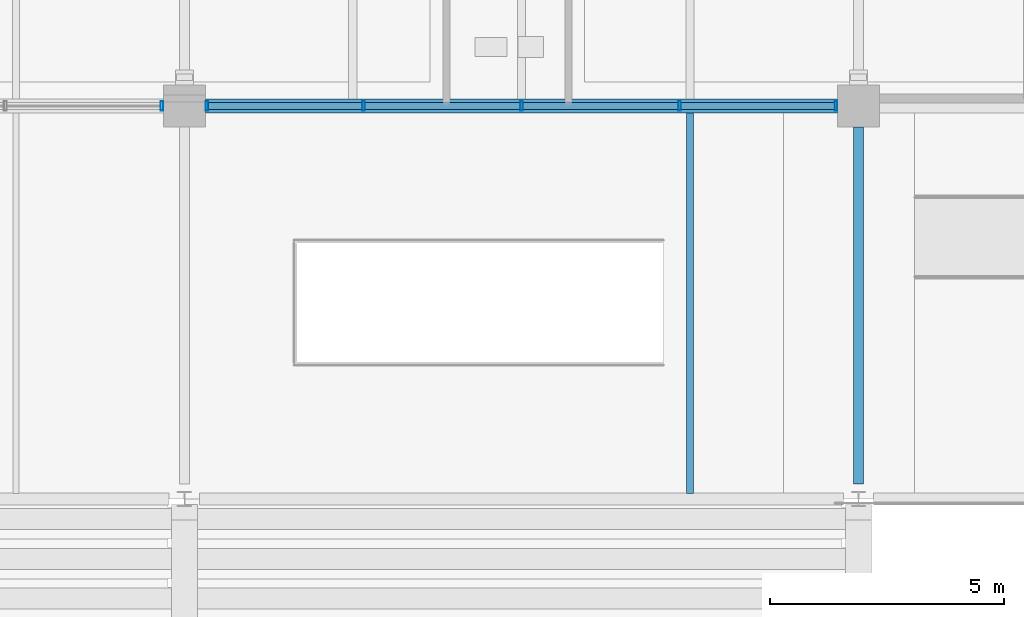
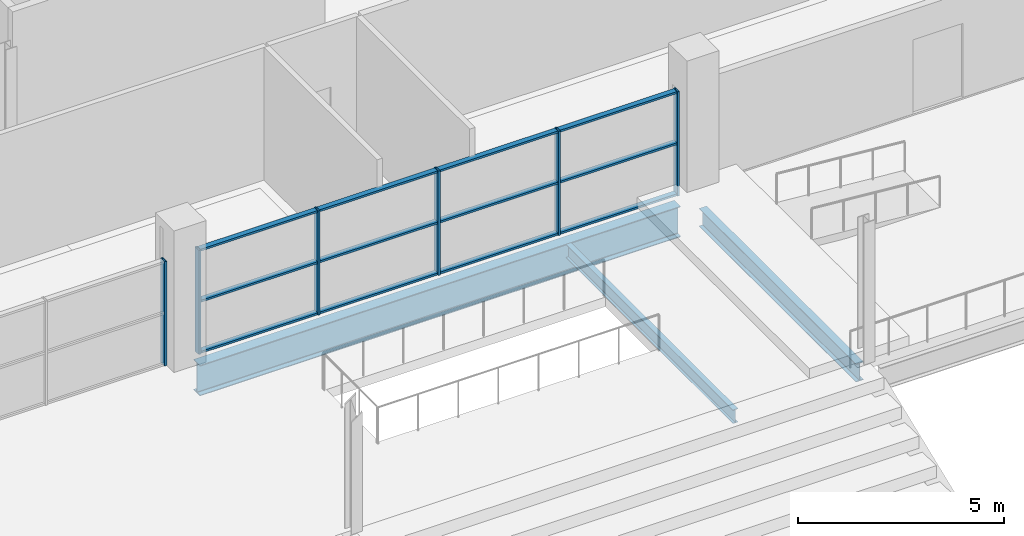
# One storey, part 71 of 161: 18 members, 3 beams, 2 elements without a shape of their own.
"""IFC4 building model written with IfcOpenShell, lengths in metres."""

import ifcopenshell
import ifcopenshell.guid

model = None  # the IFC model being written
_history = None  # IfcOwnerHistory: only IFC2X3 demands one
_inside = {}  # id of a spatial element -> (the spatial element, [elements in it])
_under = {}  # id of a project, library or spatial element -> (it, [spatial elements below it])
_declared = {}  # id of a project -> (the project, [libraries it declares])
_typed = {}  # id of a type object -> (the type object, [elements of that type])
_made_of = {}  # id of a material, layer set ... -> (it, [elements and type objects made of it])


def new_model(schema):
    """Start an empty IFC model of exactly this schema.

    Asked for "IFC4X3", IfcOpenShell would pick the latest addendum, in which some entities
    have other attributes; the version numbers below select the first issue.
    IFC2X3 requires an IfcOwnerHistory on every rooted entity: one is made here for all.
    """
    global model, _history
    if schema == "IFC4X3":
        model = ifcopenshell.file(schema_version=(4, 3, 0, 0))
    else:
        model = ifcopenshell.file(schema=schema)
    _inside.clear()
    _under.clear()
    _declared.clear()
    _typed.clear()
    _made_of.clear()
    _history = None
    if model.schema == "IFC2X3":
        org = make("IfcOrganization", Name="unknown")
        user = make(
            "IfcPersonAndOrganization",
            ThePerson=make("IfcPerson", FamilyName="unknown"),
            TheOrganization=org,
        )
        app = make(
            "IfcApplication",
            ApplicationDeveloper=org,
            Version="unknown",
            ApplicationFullName="unknown",
            ApplicationIdentifier="unknown",
        )
        _history = make(
            "IfcOwnerHistory",
            OwningUser=user,
            OwningApplication=app,
            ChangeAction="ADDED",
            CreationDate=0,
        )
    return model


def make(cls, **values):
    """One entity of the class cls with the attributes given. An attribute that is None is left unset."""
    return model.create_entity(
        cls, **{name: value for name, value in values.items() if value is not None}
    )


def rooted(cls, **values):
    """An entity with a GlobalId (a new one), such as an element, a storey or a relation."""
    return make(cls, GlobalId=ifcopenshell.guid.new(), OwnerHistory=_history, **values)


def si_unit(unit_type, name, prefix=None):
    """IfcSIUnit, for example si_unit("LENGTHUNIT", "METRE", prefix="MILLI")."""
    return make("IfcSIUnit", UnitType=unit_type, Prefix=prefix, Name=name)


def assignment(units):
    """IfcUnitAssignment: the units of a project."""
    return None if units is None else make("IfcUnitAssignment", Units=units)


def point(xyz):
    """IfcCartesianPoint."""
    return None if xyz is None else make("IfcCartesianPoint", Coordinates=xyz)


def direction(xyz):
    """IfcDirection."""
    return None if xyz is None else make("IfcDirection", DirectionRatios=xyz)


def frame(location, z_axis=None, x_axis=None):
    """IfcAxis2Placement3D, a coordinate frame: its origin and axes. An axis left out is left unset."""
    return make(
        "IfcAxis2Placement3D",
        Location=point(location),
        Axis=direction(z_axis),
        RefDirection=direction(x_axis),
    )


def frame_2d(location, x_axis=None):
    """IfcAxis2Placement2D, a coordinate frame in the plane: its origin and x axis."""
    return make(
        "IfcAxis2Placement2D", Location=point(location), RefDirection=direction(x_axis)
    )


def origin():
    """The frame at (0, 0, 0) with its axes left unset."""
    return frame((0.0, 0.0, 0.0))


def origin_2d():
    """The frame at (0, 0) in the plane with its x axis left unset."""
    return frame_2d((0.0, 0.0))


def place(relative_to, where):
    """IfcLocalPlacement: puts the frame where relative to a parent placement (None: the world)."""
    return make(
        "IfcLocalPlacement", PlacementRelTo=relative_to, RelativePlacement=where
    )


def context(
    kind, dimensions, precision=None, world=None, true_north=None, identifier=None
):
    """IfcGeometricRepresentationContext, for example the 3D "Model" context."""
    return make(
        "IfcGeometricRepresentationContext",
        ContextIdentifier=identifier,
        ContextType=kind,
        CoordinateSpaceDimension=dimensions,
        Precision=precision,
        WorldCoordinateSystem=world,
        TrueNorth=true_north,
    )


def subcontext(parent, identifier, kind, view, scale=None):
    """IfcGeometricRepresentationSubContext, for example "Body" below "Model"."""
    return make(
        "IfcGeometricRepresentationSubContext",
        ContextIdentifier=identifier,
        ContextType=kind,
        ParentContext=parent,
        TargetScale=scale,
        TargetView=view,
    )


def project(units=None, contexts=None):
    """IfcProject with its units and contexts."""
    return rooted(
        "IfcProject",
        Name="project",
        RepresentationContexts=contexts,
        UnitsInContext=assignment(units),
    )


def spatial(cls, under=None, at=None, **own):
    """A site, building, storey or space (cls), placed at a placement, below another one or the project."""
    s = rooted(cls, ObjectPlacement=at, **own)
    if under is not None:
        _under.setdefault(under.id(), (under, []))[1].append(s)
    return s


def profile(cls, at=None, kind="AREA", **sizes):
    """A parametric profile (cls). Its sizes go by their IFC names, for example OverallWidth=200.0."""
    return make(cls, ProfileType=kind, Position=at, **sizes)


def hollow_rectangle(**sizes):
    """IfcRectangleHollowProfileDef."""
    return profile("IfcRectangleHollowProfileDef", **sizes)


def i_section(**sizes):
    """IfcIShapeProfileDef."""
    return profile("IfcIShapeProfileDef", **sizes)


def extrude(swept, where, along, depth):
    """IfcExtrudedAreaSolid: the profile swept, set in the frame where, extruded along a direction by depth."""
    return make(
        "IfcExtrudedAreaSolid",
        SweptArea=swept,
        Position=where,
        ExtrudedDirection=direction(along),
        Depth=depth,
    )


def shape(context_of_items, identifier, shape_type, items):
    """IfcShapeRepresentation: the items that make up one representation, for example the "Body"."""
    return make(
        "IfcShapeRepresentation",
        ContextOfItems=context_of_items,
        RepresentationIdentifier=identifier,
        RepresentationType=shape_type,
        Items=items,
    )


def material(Name=None, Category=None):
    """IfcMaterial."""
    return make("IfcMaterial", Name=Name, Category=Category)


def material_profile(
    of_material, cross_section, Name=None, Category=None, Priority=None
):
    """IfcMaterialProfile: a cross section and its material."""
    return make(
        "IfcMaterialProfile",
        Name=Name,
        Material=of_material,
        Profile=cross_section,
        Priority=Priority,
        Category=Category,
    )


def profile_set(profiles, Name=None, composite=None):
    """IfcMaterialProfileSet."""
    return make(
        "IfcMaterialProfileSet",
        Name=Name,
        MaterialProfiles=profiles,
        CompositeProfile=composite,
    )


def made_of(thing, what):
    """Note that an element or type object is made of a material, layer set ...; save() writes the relation."""
    if what is not None:
        _made_of.setdefault(what.id(), (what, []))[1].append(thing)
    return thing


def type_object(cls, material=None, **own):
    """A type object (cls), such as IfcWallType, which elements share."""
    return made_of(rooted(cls, **own), material)


def element(
    cls,
    number,
    at=None,
    inside=None,
    cuts=None,
    type_object=None,
    material=None,
    context=None,
    identifier="Body",
    shape_type=None,
    held_by="IfcProductDefinitionShape",
    body=None,
    shapes=None,
    **own,
):
    """One element of the class cls, such as IfcWall. Its Tag is "e" and its number.

    at: its placement. inside: the storey or other place that contains it. cuts: it is an
    opening in that element (IfcRelVoidsElement). A single representation is given by context,
    identifier, shape_type and body (its items); several are given by shapes. held_by: the class
    of the entity that holds the representations. save() writes the other relations.
    """
    e = rooted(cls, Tag="e%d" % number, ObjectPlacement=at, **own)
    if body is not None:
        shapes = [shape(context, identifier, shape_type, body)]
    if shapes is not None:
        e.Representation = make(held_by, Representations=shapes)
    if inside is not None:
        _inside.setdefault(inside.id(), (inside, []))[1].append(e)
    if cuts is not None:
        rooted(
            "IfcRelVoidsElement", RelatingBuildingElement=cuts, RelatedOpeningElement=e
        )
    if type_object is not None:
        _typed.setdefault(type_object.id(), (type_object, []))[1].append(e)
    return made_of(e, material)


def aggregate(whole, parts):
    """IfcRelAggregates: a whole, such as a stair, and the parts it consists of."""
    return rooted("IfcRelAggregates", RelatingObject=whole, RelatedObjects=parts)


def save(model, path):
    """Write the relations noted so far, then the file.

    IfcRelAggregates (storeys below a building ...), IfcRelContainedInSpatialStructure (elements
    in a storey), IfcRelDefinesByType, IfcRelAssociatesMaterial and IfcRelDeclares: one each for
    every whole, place, type object, material and project.
    """
    for whole, parts in _under.values():
        aggregate(whole, parts)
    for where, things in _inside.values():
        rooted(
            "IfcRelContainedInSpatialStructure",
            RelatedElements=things,
            RelatingStructure=where,
        )
    for kind, things in _typed.values():
        rooted("IfcRelDefinesByType", RelatedObjects=things, RelatingType=kind)
    for what, things in _made_of.values():
        rooted("IfcRelAssociatesMaterial", RelatedObjects=things, RelatingMaterial=what)
    for by, libraries in _declared.values():
        rooted("IfcRelDeclares", RelatingContext=by, RelatedDefinitions=libraries)
    model.write(path)


model = new_model("IFC4")

# Units and contexts
model_context = context("Model", 3, precision=1e-05, world=origin(), true_north=direction((0.0, 1.0)))
body_context = subcontext(model_context, "Body", "Model", "MODEL_VIEW")
ifc_project = project(units=[si_unit("LENGTHUNIT", "METRE"), si_unit("AREAUNIT", "SQUARE_METRE"), si_unit("VOLUMEUNIT", "CUBIC_METRE"), si_unit("PLANEANGLEUNIT", "RADIAN"), si_unit("MASSUNIT", "GRAM", prefix="KILO"), si_unit("THERMODYNAMICTEMPERATUREUNIT", "KELVIN")], contexts=[model_context])

# Site, building, storey
site_placement = place(None, origin())
site = spatial("IfcSite", under=ifc_project, at=site_placement, CompositionType="ELEMENT")
building_placement = place(site_placement, origin())
building = spatial("IfcBuilding", under=site, at=building_placement, Name="Nduvali Passage Aquatics Centre", CompositionType="ELEMENT")
storey_placement = place(building_placement, frame((0.0, 0.0, 4.800048828125)))
storey = spatial("IfcBuildingStorey", under=building, at=storey_placement, Name="L01", CompositionType="ELEMENT", Elevation=4.800048828125)

# Curtain wall, member
ifc_material_1 = material(Name="Aluminium EN AW-6063 T6", Category="aluminium")
curtain_wall_type = type_object("IfcCurtainWallType", Name="ENV-CW-HALL", PredefinedType="NOTDEFINED", material=ifc_material_1)
curtain_wall_1_placement = place(storey_placement, origin())
curtain_wall_1 = element("IfcCurtainWall", 1, at=curtain_wall_1_placement, inside=storey, type_object=curtain_wall_type, Name="L01 North Pool Hall Concourse CW 064", PredefinedType="NOTDEFINED")
ifc_material_profile_1 = material_profile(ifc_material_1, hollow_rectangle(XDim=0.06005859375, YDim=0.199951171875, WallThickness=0.00390625, at=origin_2d()), Name="ALU MULLION 60x200x4")
ifc_profile_set_1 = profile_set([ifc_material_profile_1], Name="Aluminium EN AW-6063 T6")
member_type_1 = type_object("IfcMemberType", Name="ENV-MEM-MUL80", PredefinedType="MULLION", material=ifc_profile_set_1)
member_1_placement = place(storey_placement, frame((96.719970703125, 92.39990234375, 0.0), z_axis=(0.0, 0.0, 1.0), x_axis=(1.0, 0.0, 0.0)))
member_1 = element("IfcMember", 2, at=member_1_placement, type_object=member_type_1, Name="North Pool Hall Concourse CW Mullion 5", PredefinedType="MULLION", context=body_context, shape_type="SweptSolid", body=[
    extrude(hollow_rectangle(XDim=0.06005859375, YDim=0.199951171875, WallThickness=0.00390625, at=origin_2d()), origin(), (0.0, 0.0, 1.0), 3.09521484375),
])
aggregate(curtain_wall_1, [member_1])

# Curtain wall, members
curtain_wall_2_placement = place(storey_placement, origin())
curtain_wall_2 = element("IfcCurtainWall", 3, at=curtain_wall_2_placement, inside=storey, type_object=curtain_wall_type, Name="L01 North Pool Hall Concourse CW 065", PredefinedType="NOTDEFINED")
member_2_placement = place(storey_placement, frame((97.679931640625, 92.39990234375, 0.0), z_axis=(0.0, 0.0, 1.0), x_axis=(1.0, 0.0, 0.0)))
member_2 = element("IfcMember", 4, at=member_2_placement, type_object=member_type_1, Name="North Pool Hall Concourse CW Mullion 1", PredefinedType="MULLION", context=body_context, shape_type="SweptSolid", body=[
    extrude(hollow_rectangle(XDim=0.06005859375, YDim=0.199951171875, WallThickness=0.00390625, at=origin_2d()), origin(), (0.0, 0.0, 1.0), 3.09521484375),
])
member_3_placement = place(storey_placement, frame((101.02490234375, 92.39990234375, 0.0), z_axis=(0.0, 0.0, 1.0), x_axis=(1.0, 0.0, 0.0)))
member_3 = element("IfcMember", 5, at=member_3_placement, type_object=member_type_1, Name="North Pool Hall Concourse CW Mullion 2", PredefinedType="MULLION", context=body_context, shape_type="SweptSolid", body=[
    extrude(hollow_rectangle(XDim=0.06005859375, YDim=0.199951171875, WallThickness=0.00390625, at=origin_2d()), origin(), (0.0, 0.0, 1.0), 3.09521484375),
])
member_4_placement = place(storey_placement, frame((104.39990234375, 92.39990234375, 0.0), z_axis=(0.0, 0.0, 1.0), x_axis=(1.0, 0.0, 0.0)))
member_4 = element("IfcMember", 6, at=member_4_placement, type_object=member_type_1, Name="North Pool Hall Concourse CW Mullion 3", PredefinedType="MULLION", context=body_context, shape_type="SweptSolid", body=[
    extrude(hollow_rectangle(XDim=0.06005859375, YDim=0.199951171875, WallThickness=0.00390625, at=origin_2d()), origin(), (0.0, 0.0, 1.0), 3.09521484375),
])
member_5_placement = place(storey_placement, frame((107.77490234375, 92.39990234375, 0.0), z_axis=(0.0, 0.0, 1.0), x_axis=(1.0, 0.0, 0.0)))
member_5 = element("IfcMember", 7, at=member_5_placement, type_object=member_type_1, Name="North Pool Hall Concourse CW Mullion 4", PredefinedType="MULLION", context=body_context, shape_type="SweptSolid", body=[
    extrude(hollow_rectangle(XDim=0.06005859375, YDim=0.199951171875, WallThickness=0.00390625, at=origin_2d()), origin(), (0.0, 0.0, 1.0), 3.09521484375),
])
member_6_placement = place(storey_placement, frame((111.1201171875, 92.39990234375, 0.0), z_axis=(0.0, 0.0, 1.0), x_axis=(1.0, 0.0, 0.0)))
member_6 = element("IfcMember", 8, at=member_6_placement, type_object=member_type_1, Name="North Pool Hall Concourse CW Mullion 5", PredefinedType="MULLION", context=body_context, shape_type="SweptSolid", body=[
    extrude(hollow_rectangle(XDim=0.06005859375, YDim=0.199951171875, WallThickness=0.00390625, at=origin_2d()), origin(), (0.0, 0.0, 1.0), 3.09521484375),
])
ifc_material_profile_2 = material_profile(ifc_material_1, hollow_rectangle(XDim=0.14990234375, YDim=0.06005859375, WallThickness=0.00390625, at=origin_2d()), Name="ALU TRANSOM 150x60x4")
ifc_profile_set_2 = profile_set([ifc_material_profile_2], Name="Aluminium EN AW-6063 T6")
member_type_2 = type_object("IfcMemberType", Name="ENV-MEM-TRN80", PredefinedType="USERDEFINED", material=ifc_profile_set_2)
member_7_placement = place(storey_placement, frame((97.7099609375, 92.39990234375, 0.030029296875), z_axis=(1.0, 0.0, 0.0), x_axis=(0.0, 1.0, 0.0)))
member_7 = element("IfcMember", 9, at=member_7_placement, type_object=member_type_2, Name="North Pool Hall Concourse CW Transom B1-R0", ObjectType="TRANSOM", PredefinedType="USERDEFINED", context=body_context, shape_type="SweptSolid", body=[
    extrude(hollow_rectangle(XDim=0.14990234375, YDim=0.06005859375, WallThickness=0.00390625, at=origin_2d()), origin(), (0.0, 0.0, 1.0), 3.28515625),
])
member_8_placement = place(storey_placement, frame((97.7099609375, 92.39990234375, 1.547607421875), z_axis=(1.0, 0.0, 0.0), x_axis=(0.0, 1.0, 0.0)))
member_8 = element("IfcMember", 10, at=member_8_placement, type_object=member_type_2, Name="North Pool Hall Concourse CW Transom B1-R1", ObjectType="TRANSOM", PredefinedType="USERDEFINED", context=body_context, shape_type="SweptSolid", body=[
    extrude(hollow_rectangle(XDim=0.14990234375, YDim=0.06005859375, WallThickness=0.00390625, at=origin_2d()), origin(), (0.0, 0.0, 1.0), 3.28515625),
])
member_9_placement = place(storey_placement, frame((97.7099609375, 92.39990234375, 3.065185546875), z_axis=(1.0, 0.0, 0.0), x_axis=(0.0, 1.0, 0.0)))
member_9 = element("IfcMember", 11, at=member_9_placement, type_object=member_type_2, Name="North Pool Hall Concourse CW Transom B1-R2", ObjectType="TRANSOM", PredefinedType="USERDEFINED", context=body_context, shape_type="SweptSolid", body=[
    extrude(hollow_rectangle(XDim=0.14990234375, YDim=0.06005859375, WallThickness=0.00390625, at=origin_2d()), origin(), (0.0, 0.0, 1.0), 3.28515625),
])
member_10_placement = place(storey_placement, frame((101.054931640625, 92.39990234375, 0.030029296875), z_axis=(1.0, 0.0, 0.0), x_axis=(0.0, 1.0, 0.0)))
member_10 = element("IfcMember", 12, at=member_10_placement, type_object=member_type_2, Name="North Pool Hall Concourse CW Transom B2-R0", ObjectType="TRANSOM", PredefinedType="USERDEFINED", context=body_context, shape_type="SweptSolid", body=[
    extrude(hollow_rectangle(XDim=0.14990234375, YDim=0.06005859375, WallThickness=0.00390625, at=origin_2d()), origin(), (0.0, 0.0, 1.0), 3.315185546875),
])
member_11_placement = place(storey_placement, frame((101.054931640625, 92.39990234375, 1.547607421875), z_axis=(1.0, 0.0, 0.0), x_axis=(0.0, 1.0, 0.0)))
member_11 = element("IfcMember", 13, at=member_11_placement, type_object=member_type_2, Name="North Pool Hall Concourse CW Transom B2-R1", ObjectType="TRANSOM", PredefinedType="USERDEFINED", context=body_context, shape_type="SweptSolid", body=[
    extrude(hollow_rectangle(XDim=0.14990234375, YDim=0.06005859375, WallThickness=0.00390625, at=origin_2d()), origin(), (0.0, 0.0, 1.0), 3.315185546875),
])
member_12_placement = place(storey_placement, frame((101.054931640625, 92.39990234375, 3.065185546875), z_axis=(1.0, 0.0, 0.0), x_axis=(0.0, 1.0, 0.0)))
member_12 = element("IfcMember", 14, at=member_12_placement, type_object=member_type_2, Name="North Pool Hall Concourse CW Transom B2-R2", ObjectType="TRANSOM", PredefinedType="USERDEFINED", context=body_context, shape_type="SweptSolid", body=[
    extrude(hollow_rectangle(XDim=0.14990234375, YDim=0.06005859375, WallThickness=0.00390625, at=origin_2d()), origin(), (0.0, 0.0, 1.0), 3.315185546875),
])
member_13_placement = place(storey_placement, frame((104.429931640625, 92.39990234375, 0.030029296875), z_axis=(1.0, 0.0, 0.0), x_axis=(0.0, 1.0, 0.0)))
member_13 = element("IfcMember", 15, at=member_13_placement, type_object=member_type_2, Name="North Pool Hall Concourse CW Transom B3-R0", ObjectType="TRANSOM", PredefinedType="USERDEFINED", context=body_context, shape_type="SweptSolid", body=[
    extrude(hollow_rectangle(XDim=0.14990234375, YDim=0.06005859375, WallThickness=0.00390625, at=origin_2d()), origin(), (0.0, 0.0, 1.0), 3.315185546875),
])
member_14_placement = place(storey_placement, frame((104.429931640625, 92.39990234375, 1.547607421875), z_axis=(1.0, 0.0, 0.0), x_axis=(0.0, 1.0, 0.0)))
member_14 = element("IfcMember", 16, at=member_14_placement, type_object=member_type_2, Name="North Pool Hall Concourse CW Transom B3-R1", ObjectType="TRANSOM", PredefinedType="USERDEFINED", context=body_context, shape_type="SweptSolid", body=[
    extrude(hollow_rectangle(XDim=0.14990234375, YDim=0.06005859375, WallThickness=0.00390625, at=origin_2d()), origin(), (0.0, 0.0, 1.0), 3.315185546875),
])
member_15_placement = place(storey_placement, frame((104.429931640625, 92.39990234375, 3.065185546875), z_axis=(1.0, 0.0, 0.0), x_axis=(0.0, 1.0, 0.0)))
member_15 = element("IfcMember", 17, at=member_15_placement, type_object=member_type_2, Name="North Pool Hall Concourse CW Transom B3-R2", ObjectType="TRANSOM", PredefinedType="USERDEFINED", context=body_context, shape_type="SweptSolid", body=[
    extrude(hollow_rectangle(XDim=0.14990234375, YDim=0.06005859375, WallThickness=0.00390625, at=origin_2d()), origin(), (0.0, 0.0, 1.0), 3.315185546875),
])
member_16_placement = place(storey_placement, frame((107.804931640625, 92.39990234375, 0.030029296875), z_axis=(1.0, 0.0, 0.0), x_axis=(0.0, 1.0, 0.0)))
member_16 = element("IfcMember", 18, at=member_16_placement, type_object=member_type_2, Name="North Pool Hall Concourse CW Transom B4-R0", ObjectType="TRANSOM", PredefinedType="USERDEFINED", context=body_context, shape_type="SweptSolid", body=[
    extrude(hollow_rectangle(XDim=0.14990234375, YDim=0.06005859375, WallThickness=0.00390625, at=origin_2d()), origin(), (0.0, 0.0, 1.0), 3.28515625),
])
member_17_placement = place(storey_placement, frame((107.804931640625, 92.39990234375, 1.547607421875), z_axis=(1.0, 0.0, 0.0), x_axis=(0.0, 1.0, 0.0)))
member_17 = element("IfcMember", 19, at=member_17_placement, type_object=member_type_2, Name="North Pool Hall Concourse CW Transom B4-R1", ObjectType="TRANSOM", PredefinedType="USERDEFINED", context=body_context, shape_type="SweptSolid", body=[
    extrude(hollow_rectangle(XDim=0.14990234375, YDim=0.06005859375, WallThickness=0.00390625, at=origin_2d()), origin(), (0.0, 0.0, 1.0), 3.28515625),
])
member_18_placement = place(storey_placement, frame((107.804931640625, 92.39990234375, 3.065185546875), z_axis=(1.0, 0.0, 0.0), x_axis=(0.0, 1.0, 0.0)))
member_18 = element("IfcMember", 20, at=member_18_placement, type_object=member_type_2, Name="North Pool Hall Concourse CW Transom B4-R2", ObjectType="TRANSOM", PredefinedType="USERDEFINED", context=body_context, shape_type="SweptSolid", body=[
    extrude(hollow_rectangle(XDim=0.14990234375, YDim=0.06005859375, WallThickness=0.00390625, at=origin_2d()), origin(), (0.0, 0.0, 1.0), 3.28515625),
])
aggregate(curtain_wall_2, [member_2, member_3, member_4, member_5, member_6, member_7, member_8, member_9, member_10, member_11, member_12, member_13, member_14, member_15, member_16, member_17, member_18])

# Beams
ifc_material_2 = material(Name="Steel S355", Category="steel")
ifc_material_profile_3 = material_profile(ifc_material_2, i_section(OverallWidth=0.210693359375, OverallDepth=0.53955078125, WebThickness=0.01171875, FlangeThickness=0.018798828125, FilletRadius=0.0126953125, at=origin_2d()), Name="UKB 533x210x109")
ifc_profile_set_3 = profile_set([ifc_material_profile_3], Name="Steel S355")
beam_type_1 = type_object("IfcBeamType", Name="STR-BM-UKB533", PredefinedType="BEAM", material=ifc_profile_set_3)
beam_1_placement = place(storey_placement, frame((111.60009765625, 84.324951171875, -0.553955078125), z_axis=(0.0, 1.0, 0.0), x_axis=(-1.0, 0.0, 0.0)))
element("IfcBeam", 21, at=beam_1_placement, inside=storey, type_object=beam_type_1, Name="L01 Primary Y-Girder B6-0618", PredefinedType="BEAM", context=body_context, shape_type="SweptSolid", body=[
    extrude(i_section(OverallWidth=0.210693359375, OverallDepth=0.53955078125, WebThickness=0.01171875, FlangeThickness=0.018798828125, FilletRadius=0.0126953125, at=origin_2d()), origin(), (0.0, 0.0, 1.0), 7.625),
])
ifc_material_profile_4 = material_profile(ifc_material_2, i_section(OverallWidth=0.30419921875, OverallDepth=0.910400390625, WebThickness=0.015869140625, FlangeThickness=0.02392578125, FilletRadius=0.01904296875, at=origin_2d()), Name="UKB 914x305x224")
ifc_profile_set_4 = profile_set([ifc_material_profile_4], Name="Steel S355")
beam_type_2 = type_object("IfcBeamType", Name="STR-BM-UKB914-EXT", PredefinedType="BEAM", material=ifc_profile_set_4)
beam_2_placement = place(storey_placement, frame((97.64990234375, 92.39990234375, -0.7392578125), z_axis=(1.0, 0.0, 0.0), x_axis=(0.0, 1.0, 0.0)))
element("IfcBeam", 22, at=beam_2_placement, inside=storey, type_object=beam_type_2, Name="L01 Primary X-Girder B4AE-0529", PredefinedType="BEAM", context=body_context, shape_type="SweptSolid", body=[
    extrude(i_section(OverallWidth=0.30419921875, OverallDepth=0.910400390625, WebThickness=0.015869140625, FlangeThickness=0.02392578125, FilletRadius=0.01904296875, at=origin_2d()), origin(), (0.0, 0.0, 1.0), 13.5),
])
ifc_material_profile_5 = material_profile(ifc_material_2, i_section(OverallWidth=0.14208984375, OverallDepth=0.4033203125, WebThickness=0.0068359375, FlangeThickness=0.01123046875, FilletRadius=0.01025390625, at=origin_2d()), Name="UKB 406x140x46")
ifc_profile_set_5 = profile_set([ifc_material_profile_5], Name="Steel S355")
beam_type_3 = type_object("IfcBeamType", Name="STR-JST-UKB406L", PredefinedType="JOIST", material=ifc_profile_set_5)
beam_3_placement = place(storey_placement, frame((108.0, 84.126708984375, -0.485595703125), z_axis=(0.0, 1.0, 0.0), x_axis=(-1.0, 0.0, 0.0)))
element("IfcBeam", 23, at=beam_3_placement, inside=storey, type_object=beam_type_3, Name="L01 Secondary Joist J1B-0806", PredefinedType="JOIST", context=body_context, shape_type="SweptSolid", body=[
    extrude(i_section(OverallWidth=0.14208984375, OverallDepth=0.4033203125, WebThickness=0.0068359375, FlangeThickness=0.01123046875, FilletRadius=0.01025390625, at=origin_2d()), origin(), (0.0, 0.0, 1.0), 8.121337890625),
])

save(model, "model.ifc")
